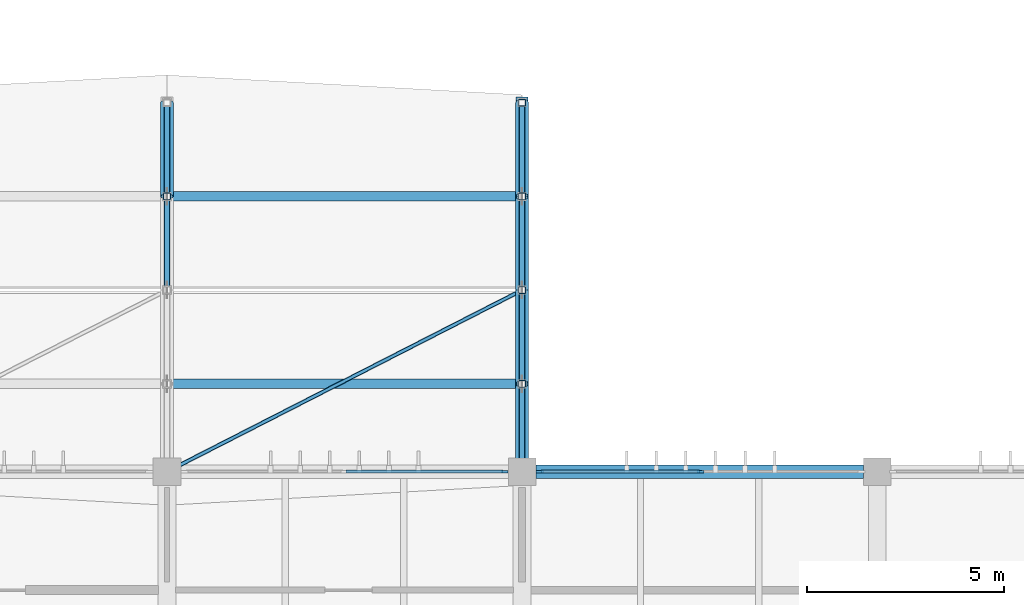
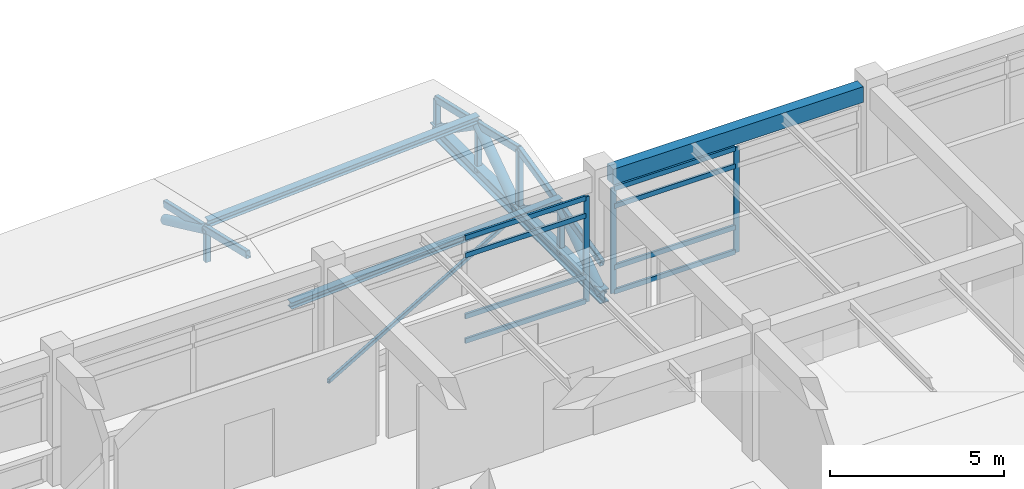
# One storey, part 12 of 61: 27 members, 2 beams, 2 elements without a shape of their own.
"""IFC4 building model written with IfcOpenShell, lengths in metres."""

from ifc_helpers import new_model, si_unit, direction, frame, origin, origin_2d, place, context, subcontext, project, spatial, rectangle, hollow_rectangle, hollow_circle, i_section, extrude, material, material_profile, profile_set, type_object, element, aggregate, save


model = new_model("IFC4")

# Units and contexts
model_context = context("Model", 3, precision=1e-05, world=origin(), true_north=direction((0.0, 1.0)))
body_context = subcontext(model_context, "Body", "Model", "MODEL_VIEW")
ifc_project = project(units=[si_unit("LENGTHUNIT", "METRE"), si_unit("AREAUNIT", "SQUARE_METRE"), si_unit("VOLUMEUNIT", "CUBIC_METRE"), si_unit("PLANEANGLEUNIT", "RADIAN"), si_unit("MASSUNIT", "GRAM", prefix="KILO")], contexts=[model_context])

# Site, building, storey
site_placement = place(None, origin())
site = spatial("IfcSite", under=ifc_project, at=site_placement, CompositionType="ELEMENT")
building_placement = place(site_placement, origin())
building = spatial("IfcBuilding", under=site, at=building_placement, Name="Bozkorgan Art Gallery", CompositionType="ELEMENT")
storey_placement = place(building_placement, frame((0.0, 0.0, 10.199951171875)))
storey = spatial("IfcBuildingStorey", under=building, at=storey_placement, Name="L02", CompositionType="ELEMENT", Elevation=10.199951171875)

# Beams
ifc_material_1 = material(Name="Concrete C35/45", Category="concrete")
ifc_material_profile_1 = material_profile(ifc_material_1, rectangle(XDim=0.35009765625, YDim=0.550048828125, at=origin_2d()), Name="RC 350x550")
ifc_profile_set_1 = profile_set([ifc_material_profile_1], Name="Concrete C35/45")
beam_type_1 = type_object("IfcBeamType", Name="BEAM-SP-49", PredefinedType="SPANDREL", material=ifc_profile_set_1)
beam_1_placement = place(storey_placement, frame((29.35009765625, 20.0, 4.205078125), z_axis=(1.0, 0.0, 0.0), x_axis=(0.0, 1.0, 0.0)))
element("IfcBeam", 1, at=beam_1_placement, inside=storey, type_object=beam_type_1, Name="V1 L02 spandrel X (29-38, 20.0)", PredefinedType="SPANDREL", context=body_context, shape_type="SweptSolid", body=[
    extrude(rectangle(XDim=0.35009765625, YDim=0.550048828125, at=origin_2d()), origin(), (0.0, 0.0, 1.0), 8.2998046875),
])
ifc_material_2 = material(Name="Steel S355J2", Category="steel")
ifc_material_profile_2 = material_profile(ifc_material_2, i_section(OverallWidth=0.300048828125, OverallDepth=0.449951171875, WebThickness=0.013916015625, FlangeThickness=0.02587890625, FilletRadius=0.027099609375, at=origin_2d()), Name="HEB 450")
ifc_profile_set_2 = profile_set([ifc_material_profile_2], Name="Steel S355J2")
beam_type_2 = type_object("IfcBeamType", Name="BEAM-TB-37", PredefinedType="BEAM", material=ifc_profile_set_2)
beam_2_placement = place(storey_placement, frame((29.0, 19.7099609375, 0.22509765625), z_axis=(0.0, 1.0, 0.0), x_axis=(-1.0, 0.0, 0.0)))
element("IfcBeam", 2, at=beam_2_placement, inside=storey, type_object=beam_type_2, Name="ROOF-V1-STEP2 roof truss 4 bottom chord", PredefinedType="BEAM", context=body_context, shape_type="SweptSolid", body=[
    extrude(i_section(OverallWidth=0.300048828125, OverallDepth=0.449951171875, WebThickness=0.013916015625, FlangeThickness=0.02587890625, FilletRadius=0.027099609375, at=origin_2d()), origin(), (0.0, 0.0, 1.0), 9.780029296875),
])

# Curtain wall, member
ifc_material_3 = material(Name="Anodised Bronze Aluminium", Category="aluminium")
curtain_wall_type_1 = type_object("IfcCurtainWallType", Name="CW-CW-82", PredefinedType="NOTDEFINED", material=ifc_material_3)
curtain_wall_1_placement = place(storey_placement, origin())
curtain_wall_1 = element("IfcCurtainWall", 3, at=curtain_wall_1_placement, inside=storey, type_object=curtain_wall_type_1, Name="L02 unitised curtain wall CW-V1-L02-1N-06", PredefinedType="NOTDEFINED")
ifc_material_profile_3 = material_profile(ifc_material_3, rectangle(XDim=0.06494140625, YDim=0.179931640625, at=origin_2d()), Name="ALU MULLION 65x180")
ifc_profile_set_3 = profile_set([ifc_material_profile_3], Name="Anodised Bronze Aluminium")
member_type_1 = type_object("IfcMemberType", Name="CWM-01", PredefinedType="MULLION", material=ifc_profile_set_3)
member_1_placement = place(storey_placement, frame((28.552490234375, 20.0, 0.02001953125), z_axis=(0.0, 0.0, 1.0), x_axis=(0.0, 1.0, 0.0)))
member_1 = element("IfcMember", 4, at=member_1_placement, type_object=member_type_1, Name="CW-82 mullion 3", PredefinedType="MULLION", context=body_context, shape_type="SweptSolid", body=[
    extrude(rectangle(XDim=0.06494140625, YDim=0.179931640625, at=origin_2d()), origin(), (0.0, 0.0, 1.0), 3.695068359375),
])

# Curtain wall, members
curtain_wall_type_2 = type_object("IfcCurtainWallType", Name="CW-CW-01", PredefinedType="NOTDEFINED", material=ifc_material_3)
curtain_wall_2_placement = place(storey_placement, origin())
curtain_wall_2 = element("IfcCurtainWall", 5, at=curtain_wall_2_placement, inside=storey, type_object=curtain_wall_type_2, Name="L02 unitised curtain wall CW-V1-L02-1N-08", PredefinedType="NOTDEFINED")
member_2_placement = place(storey_placement, frame((29.447509765625, 20.0, 0.02001953125), z_axis=(0.0, 0.0, 1.0), x_axis=(0.0, 1.0, 0.0)))
member_2 = element("IfcMember", 6, at=member_2_placement, type_object=member_type_1, Name="CW-01 mullion 1", PredefinedType="MULLION", context=body_context, shape_type="SweptSolid", body=[
    extrude(rectangle(XDim=0.06494140625, YDim=0.179931640625, at=origin_2d()), origin(), (0.0, 0.0, 1.0), 3.695068359375),
])
member_3_placement = place(storey_placement, frame((33.52490234375, 20.0, 0.02001953125), z_axis=(0.0, 0.0, 1.0), x_axis=(0.0, 1.0, 0.0)))
member_3 = element("IfcMember", 7, at=member_3_placement, type_object=member_type_1, Name="CW-01 mullion 2", PredefinedType="MULLION", context=body_context, shape_type="SweptSolid", body=[
    extrude(rectangle(XDim=0.06494140625, YDim=0.179931640625, at=origin_2d()), origin(), (0.0, 0.0, 1.0), 3.695068359375),
])

# Member
ifc_material_profile_4 = material_profile(ifc_material_3, rectangle(XDim=0.074951171875, YDim=0.169921875, at=origin_2d()), Name="ALU TRANSOM 75x170")
ifc_profile_set_4 = profile_set([ifc_material_profile_4], Name="Anodised Bronze Aluminium")
member_type_2 = type_object("IfcMemberType", Name="CWT-02", PredefinedType="USERDEFINED", material=ifc_profile_set_4)
member_4_placement = place(storey_placement, frame((24.532470703125, 20.0, 0.0576171875), z_axis=(1.0, 0.0, 0.0), x_axis=(0.0, 1.0, 0.0)))
member_4 = element("IfcMember", 8, at=member_4_placement, type_object=member_type_2, Name="CW-82 transom 2.1", ObjectType="TRANSOM", PredefinedType="USERDEFINED", context=body_context, shape_type="SweptSolid", body=[
    extrude(rectangle(XDim=0.074951171875, YDim=0.169921875, at=origin_2d()), origin(), (0.0, 0.0, 1.0), 3.987548828125),
])

member_5_placement = place(storey_placement, frame((24.532470703125, 20.0, 0.920166015625), z_axis=(1.0, 0.0, 0.0), x_axis=(0.0, 1.0, 0.0)))
member_5 = element("IfcMember", 9, at=member_5_placement, type_object=member_type_2, Name="CW-82 transom 2.2", ObjectType="TRANSOM", PredefinedType="USERDEFINED", context=body_context, shape_type="SweptSolid", body=[
    extrude(rectangle(XDim=0.074951171875, YDim=0.169921875, at=origin_2d()), origin(), (0.0, 0.0, 1.0), 3.987548828125),
])

member_6_placement = place(storey_placement, frame((24.532470703125, 20.0, 3.06494140625), z_axis=(1.0, 0.0, 0.0), x_axis=(0.0, 1.0, 0.0)))
member_6 = element("IfcMember", 10, at=member_6_placement, type_object=member_type_2, Name="CW-82 transom 2.3", ObjectType="TRANSOM", PredefinedType="USERDEFINED", context=body_context, shape_type="SweptSolid", body=[
    extrude(rectangle(XDim=0.074951171875, YDim=0.169921875, at=origin_2d()), origin(), (0.0, 0.0, 1.0), 3.987548828125),
])

member_7_placement = place(storey_placement, frame((24.532470703125, 20.0, 3.677490234375), z_axis=(1.0, 0.0, 0.0), x_axis=(0.0, 1.0, 0.0)))
member_7 = element("IfcMember", 11, at=member_7_placement, type_object=member_type_2, Name="CW-82 transom 2.4", ObjectType="TRANSOM", PredefinedType="USERDEFINED", context=body_context, shape_type="SweptSolid", body=[
    extrude(rectangle(XDim=0.074951171875, YDim=0.169921875, at=origin_2d()), origin(), (0.0, 0.0, 1.0), 3.987548828125),
])

aggregate(curtain_wall_1, [member_1, member_4, member_5, member_6, member_7])

member_8_placement = place(storey_placement, frame((29.47998046875, 20.0, 0.0576171875), z_axis=(1.0, 0.0, 0.0), x_axis=(0.0, 1.0, 0.0)))
member_8 = element("IfcMember", 12, at=member_8_placement, type_object=member_type_2, Name="CW-01 transom 1.1", ObjectType="TRANSOM", PredefinedType="USERDEFINED", context=body_context, shape_type="SweptSolid", body=[
    extrude(rectangle(XDim=0.074951171875, YDim=0.169921875, at=origin_2d()), origin(), (0.0, 0.0, 1.0), 4.012451171875),
])

member_9_placement = place(storey_placement, frame((29.47998046875, 20.0, 0.920166015625), z_axis=(1.0, 0.0, 0.0), x_axis=(0.0, 1.0, 0.0)))
member_9 = element("IfcMember", 13, at=member_9_placement, type_object=member_type_2, Name="CW-01 transom 1.2", ObjectType="TRANSOM", PredefinedType="USERDEFINED", context=body_context, shape_type="SweptSolid", body=[
    extrude(rectangle(XDim=0.074951171875, YDim=0.169921875, at=origin_2d()), origin(), (0.0, 0.0, 1.0), 4.012451171875),
])

member_10_placement = place(storey_placement, frame((29.47998046875, 20.0, 3.06494140625), z_axis=(1.0, 0.0, 0.0), x_axis=(0.0, 1.0, 0.0)))
member_10 = element("IfcMember", 14, at=member_10_placement, type_object=member_type_2, Name="CW-01 transom 1.3", ObjectType="TRANSOM", PredefinedType="USERDEFINED", context=body_context, shape_type="SweptSolid", body=[
    extrude(rectangle(XDim=0.074951171875, YDim=0.169921875, at=origin_2d()), origin(), (0.0, 0.0, 1.0), 4.012451171875),
])

member_11_placement = place(storey_placement, frame((29.47998046875, 20.0, 3.677490234375), z_axis=(1.0, 0.0, 0.0), x_axis=(0.0, 1.0, 0.0)))
member_11 = element("IfcMember", 15, at=member_11_placement, type_object=member_type_2, Name="CW-01 transom 1.4", ObjectType="TRANSOM", PredefinedType="USERDEFINED", context=body_context, shape_type="SweptSolid", body=[
    extrude(rectangle(XDim=0.074951171875, YDim=0.169921875, at=origin_2d()), origin(), (0.0, 0.0, 1.0), 4.012451171875),
])

aggregate(curtain_wall_2, [member_2, member_3, member_8, member_9, member_10, member_11])

# Members
ifc_material_profile_5 = material_profile(ifc_material_2, i_section(OverallWidth=0.239990234375, OverallDepth=0.22998046875, WebThickness=0.007568359375, FlangeThickness=0.011962890625, FilletRadius=0.02099609375, at=origin_2d()), Name="HEA 240")
ifc_profile_set_5 = profile_set([ifc_material_profile_5], Name="Steel S355J2")
member_type_3 = type_object("IfcMemberType", Name="MEMBER-PR-93", PredefinedType="PURLIN", material=ifc_profile_set_5)
for number, where, z_axis, x_axis, name in (
    (16, (20.0, 22.22509765625, 1.57177734375), (0.998287793766, 0.0, 0.058493425416), (0.0, 1.0, 0.0), "ROOF-V1-STEP2 roof purlin 3S"),
    (17, (20.0, 26.97509765625, 1.57177734375), (0.998287793766, 0.0, 0.058493425416), (0.0, 1.0, 0.0), "ROOF-V1-STEP2 roof purlin 3N"),
):
    element("IfcMember", number, at=place(storey_placement, frame(where, z_axis=z_axis, x_axis=x_axis)), inside=storey, type_object=member_type_3, Name=name, PredefinedType="PURLIN", context=body_context, shape_type="SweptSolid", body=[
        extrude(i_section(OverallWidth=0.239990234375, OverallDepth=0.22998046875, WebThickness=0.007568359375, FlangeThickness=0.011962890625, FilletRadius=0.02099609375, at=origin_2d()), origin(), (0.0, 0.0, 1.0), 9.015380859375),
    ])
ifc_material_profile_6 = material_profile(ifc_material_2, hollow_rectangle(XDim=0.14990234375, YDim=0.25, WallThickness=0.010009765625, InnerFilletRadius=0.014892578125, OuterFilletRadius=0.02490234375, at=origin_2d()), Name="RHS 250x150x10")
ifc_profile_set_6 = profile_set([ifc_material_profile_6], Name="Steel S355J2")
member_type_4 = type_object("IfcMemberType", Name="MEMBER-TC-35", PredefinedType="CHORD", material=ifc_profile_set_6)
for number, where, z_axis, x_axis, name in (
    (18, (20.0, 24.60009765625, 1.880126953125), (0.0, 0.974367556786, -0.224961917408), (-1.0, 0.0, 0.0), "ROOF-V1-STEP2 roof truss 3 north top chord"),
    (19, (29.0, 19.85009765625, 1.310791015625), (0.0, 0.974367556786, 0.224961917408), (-1.0, 0.0, 0.0), "ROOF-V1-STEP2 roof truss 4 south top chord"),
    (20, (29.0, 24.60009765625, 2.407470703125), (0.0, 0.974367556786, -0.224961917408), (-1.0, 0.0, 0.0), "ROOF-V1-STEP2 roof truss 4 north top chord"),
):
    element("IfcMember", number, at=place(storey_placement, frame(where, z_axis=z_axis, x_axis=x_axis)), inside=storey, type_object=member_type_4, Name=name, PredefinedType="CHORD", context=body_context, shape_type="SweptSolid", body=[
        extrude(hollow_rectangle(XDim=0.14990234375, YDim=0.25, WallThickness=0.010009765625, InnerFilletRadius=0.014892578125, OuterFilletRadius=0.02490234375, at=origin_2d()), origin(), (0.0, 0.0, 1.0), 4.875),
    ])
ifc_material_profile_7 = material_profile(ifc_material_2, hollow_rectangle(XDim=0.179931640625, YDim=0.179931640625, WallThickness=0.010009765625, InnerFilletRadius=0.014892578125, OuterFilletRadius=0.02490234375, at=origin_2d()), Name="SHS 180x180x10")
ifc_profile_set_7 = profile_set([ifc_material_profile_7], Name="Steel S355J2")
member_type_5 = type_object("IfcMemberType", Name="MEMBER-TP-98", PredefinedType="POST", material=ifc_profile_set_7)
member_12_placement = place(storey_placement, frame((20.0, 26.97509765625, 0.22509765625), z_axis=(0.0, 0.0, 1.0), x_axis=(1.0, 0.0, 0.0)))
element("IfcMember", 21, at=member_12_placement, inside=storey, type_object=member_type_5, Name="ROOF-V1-STEP2 roof truss 3 post 3", PredefinedType="POST", context=body_context, shape_type="SweptSolid", body=[
    extrude(hollow_rectangle(XDim=0.179931640625, YDim=0.179931640625, WallThickness=0.010009765625, InnerFilletRadius=0.014892578125, OuterFilletRadius=0.02490234375, at=origin_2d()), origin(), (0.0, 0.0, 1.0), 1.106689453125),
])
member_13_placement = place(storey_placement, frame((29.0, 22.22509765625, 0.22509765625), z_axis=(0.0, 0.0, 1.0), x_axis=(1.0, 0.0, 0.0)))
element("IfcMember", 22, at=member_13_placement, inside=storey, type_object=member_type_5, Name="ROOF-V1-STEP2 roof truss 4 post 1", PredefinedType="POST", context=body_context, shape_type="SweptSolid", body=[
    extrude(hollow_rectangle(XDim=0.179931640625, YDim=0.179931640625, WallThickness=0.010009765625, InnerFilletRadius=0.014892578125, OuterFilletRadius=0.02490234375, at=origin_2d()), origin(), (0.0, 0.0, 1.0), 1.634033203125),
])
member_14_placement = place(storey_placement, frame((29.0, 24.60009765625, 0.22509765625), z_axis=(0.0, 0.0, 1.0), x_axis=(1.0, 0.0, 0.0)))
element("IfcMember", 23, at=member_14_placement, inside=storey, type_object=member_type_5, Name="ROOF-V1-STEP2 roof truss 4 post 2", PredefinedType="POST", context=body_context, shape_type="SweptSolid", body=[
    extrude(hollow_rectangle(XDim=0.179931640625, YDim=0.179931640625, WallThickness=0.010009765625, InnerFilletRadius=0.014892578125, OuterFilletRadius=0.02490234375, at=origin_2d()), origin(), (0.0, 0.0, 1.0), 2.182373046875),
])
member_15_placement = place(storey_placement, frame((29.0, 26.97509765625, 0.22509765625), z_axis=(0.0, 0.0, 1.0), x_axis=(1.0, 0.0, 0.0)))
element("IfcMember", 24, at=member_15_placement, inside=storey, type_object=member_type_5, Name="ROOF-V1-STEP2 roof truss 4 post 3", PredefinedType="POST", context=body_context, shape_type="SweptSolid", body=[
    extrude(hollow_rectangle(XDim=0.179931640625, YDim=0.179931640625, WallThickness=0.010009765625, InnerFilletRadius=0.014892578125, OuterFilletRadius=0.02490234375, at=origin_2d()), origin(), (0.0, 0.0, 1.0), 1.634033203125),
])
member_16_placement = place(storey_placement, frame((29.0, 29.35009765625, 0.22509765625), z_axis=(0.0, 0.0, 1.0), x_axis=(1.0, 0.0, 0.0)))
element("IfcMember", 25, at=member_16_placement, inside=storey, type_object=member_type_5, Name="ROOF-V1-STEP2 roof truss 4 post 4", PredefinedType="POST", context=body_context, shape_type="SweptSolid", body=[
    extrude(hollow_rectangle(XDim=0.179931640625, YDim=0.179931640625, WallThickness=0.010009765625, InnerFilletRadius=0.014892578125, OuterFilletRadius=0.02490234375, at=origin_2d()), origin(), (0.0, 0.0, 1.0), 1.085693359375),
])
ifc_material_profile_8 = material_profile(ifc_material_2, hollow_circle(Radius=0.161865234375, WallThickness=0.012451171875, at=origin_2d()), Name="CHS 323.9x12.5")
ifc_profile_set_8 = profile_set([ifc_material_profile_8], Name="Steel S355J2")
member_type_6 = type_object("IfcMemberType", Name="MEMBER-TW-97", PredefinedType="BRACE", material=ifc_profile_set_8)
member_17_placement = place(storey_placement, frame((20.0, 26.97509765625, 1.331787109375), z_axis=(0.0, 0.906423416762, -0.422370204377), x_axis=(-1.0, 0.0, 0.0)))
element("IfcMember", 26, at=member_17_placement, inside=storey, type_object=member_type_6, Name="ROOF-V1-STEP2 roof truss 3 diagonal 4", PredefinedType="BRACE", context=body_context, shape_type="SweptSolid", body=[
    extrude(hollow_circle(Radius=0.161865234375, WallThickness=0.012451171875, at=origin_2d()), origin(), (0.0, 0.0, 1.0), 2.6201171875),
])
for number, where, z_axis, x_axis, name in (
    (27, (29.0, 19.85009765625, 0.22509765625), (0.0, 0.823844193983, 0.566816323019), (-1.0, 0.0, 0.0), "ROOF-V1-STEP2 roof truss 4 diagonal 1"),
    (28, (29.0, 22.22509765625, 1.859130859375), (0.0, 0.823844193983, -0.566816323019), (-1.0, 0.0, 0.0), "ROOF-V1-STEP2 roof truss 4 diagonal 2"),
    (29, (29.0, 24.60009765625, 0.22509765625), (0.0, 0.823844193983, 0.566816323019), (-1.0, 0.0, 0.0), "ROOF-V1-STEP2 roof truss 4 diagonal 3"),
    (30, (29.0, 26.97509765625, 1.859130859375), (0.0, 0.823844193983, -0.566816323019), (-1.0, 0.0, 0.0), "ROOF-V1-STEP2 roof truss 4 diagonal 4"),
):
    element("IfcMember", number, at=place(storey_placement, frame(where, z_axis=z_axis, x_axis=x_axis)), inside=storey, type_object=member_type_6, Name=name, PredefinedType="BRACE", context=body_context, shape_type="SweptSolid", body=[
        extrude(hollow_circle(Radius=0.161865234375, WallThickness=0.012451171875, at=origin_2d()), origin(), (0.0, 0.0, 1.0), 2.8828125),
    ])
ifc_material_profile_9 = material_profile(ifc_material_2, hollow_rectangle(XDim=0.10009765625, YDim=0.14990234375, WallThickness=0.008056640625, InnerFilletRadius=0.011962890625, OuterFilletRadius=0.02001953125, at=origin_2d()), Name="RHS 150x100x8")
ifc_profile_set_9 = profile_set([ifc_material_profile_9], Name="Steel S355J2")
member_type_7 = type_object("IfcMemberType", Name="MEMBER-WB-10", PredefinedType="BRACE", material=ifc_profile_set_9)
member_18_placement = place(storey_placement, frame((20.0, 20.0, 0.22509765625), z_axis=(0.890430766754, 0.455118720355, 0.0), x_axis=(-0.455118720355, 0.890430766754, 0.0)))
element("IfcMember", 31, at=member_18_placement, inside=storey, type_object=member_type_7, Name="ROOF-V1-STEP2 roof diaphragm wind brace 3", PredefinedType="BRACE", context=body_context, shape_type="SweptSolid", body=[
    extrude(hollow_rectangle(XDim=0.10009765625, YDim=0.14990234375, WallThickness=0.008056640625, InnerFilletRadius=0.011962890625, OuterFilletRadius=0.02001953125, at=origin_2d()), origin(), (0.0, 0.0, 1.0), 10.107421875),
])

save(model, "model.ifc")
